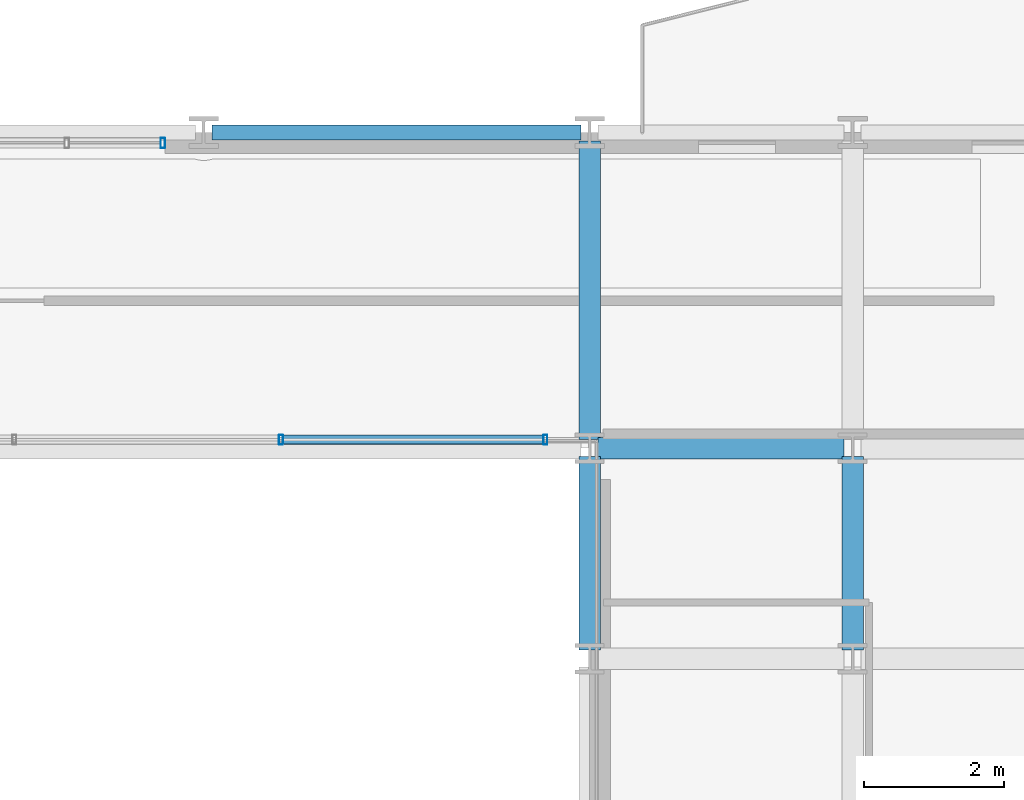
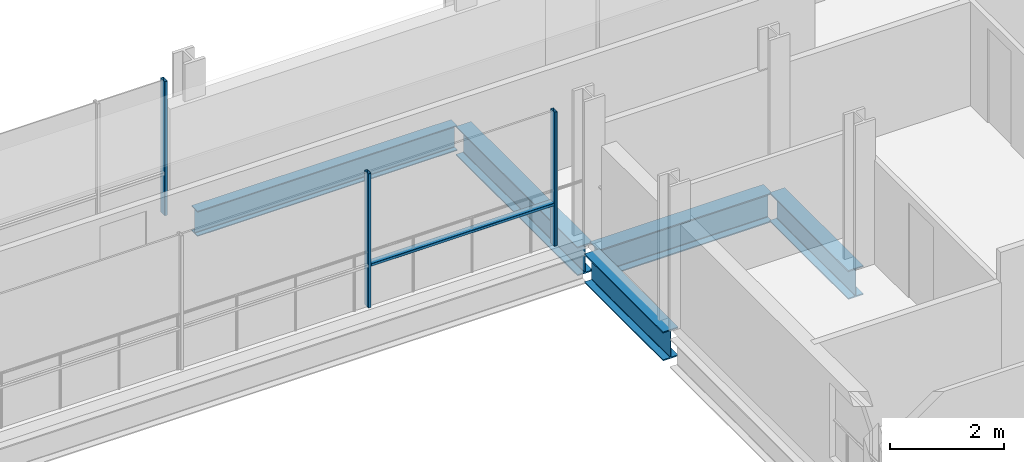
# One storey, part 17 of 39: 5 beams, 4 members, 2 elements without a shape of their own.
"""IFC4 building model written with IfcOpenShell, lengths in metres."""

from ifc_helpers import new_model, si_unit, direction, frame, origin, origin_2d, place, context, subcontext, project, spatial, hollow_rectangle, i_section, extrude, material, layer, layer_set, material_profile, profile_set, type_object, element, aggregate, save


model = new_model("IFC4")

# Units and contexts
model_context = context("Model", 3, precision=1e-05, world=origin(), true_north=direction((0.0, 1.0)))
body_context = subcontext(model_context, "Body", "Model", "MODEL_VIEW")
ifc_project = project(units=[si_unit("LENGTHUNIT", "METRE"), si_unit("AREAUNIT", "SQUARE_METRE"), si_unit("VOLUMEUNIT", "CUBIC_METRE"), si_unit("PLANEANGLEUNIT", "RADIAN"), si_unit("MASSUNIT", "GRAM", prefix="KILO")], contexts=[model_context])

# Site, building, storey
site_placement = place(None, origin())
site = spatial("IfcSite", under=ifc_project, at=site_placement, CompositionType="ELEMENT")
building_placement = place(site_placement, origin())
building = spatial("IfcBuilding", under=site, at=building_placement, Name="Brevholm Reach", CompositionType="ELEMENT")
storey_placement = place(building_placement, frame((0.0, 0.0, 90.0)))
storey = spatial("IfcBuildingStorey", under=building, at=storey_placement, Name="L26", CompositionType="ELEMENT", Elevation=90.0)

# Beams
ifc_material_1 = material(Name="Structural Steel S355J2", Category="steel")
ifc_material_profile_1 = material_profile(ifc_material_1, i_section(OverallWidth=0.210693359375, OverallDepth=0.53955078125, WebThickness=0.01171875, FlangeThickness=0.018798828125, FilletRadius=0.0126953125, at=origin_2d()), Name="UKB 533x210x109")
ifc_profile_set_1 = profile_set([ifc_material_profile_1], Name="Structural Steel S355J2")
beam_type_1 = type_object("IfcBeamType", Name="BM-SP539", PredefinedType="SPANDREL", material=ifc_profile_set_1)
beam_1_placement = place(storey_placement, frame((32.8701171875, 31.0, -0.499755859375), z_axis=(1.0, 0.0, 0.0), x_axis=(0.0, 1.0, 0.0)))
element("IfcBeam", 1, at=beam_1_placement, inside=storey, type_object=beam_type_1, Name="L26 SP-01B Framing Beam", PredefinedType="SPANDREL", context=body_context, shape_type="SweptSolid", body=[
    extrude(i_section(OverallWidth=0.210693359375, OverallDepth=0.53955078125, WebThickness=0.01171875, FlangeThickness=0.018798828125, FilletRadius=0.0126953125, at=origin_2d()), origin(), (0.0, 0.0, 1.0), 5.259765625),
])
ifc_material_2 = material(Name="Structural Steel S355J2", Category="steel")
ifc_material_profile_2 = material_profile(ifc_material_2, i_section(OverallWidth=0.30712890625, OverallDepth=0.6201171875, WebThickness=0.01416015625, FlangeThickness=0.023681640625, FilletRadius=0.0166015625, at=origin_2d()), Name="UKB 610x305x179")
ifc_profile_set_2 = profile_set([ifc_material_profile_2], Name="Structural Steel S355J2")
beam_type_2 = type_object("IfcBeamType", Name="BM-UKB610H", PredefinedType="USERDEFINED", material=ifc_profile_set_2)
beam_2_placement = place(storey_placement, frame((38.3701171875, 26.5, -0.5400390625), z_axis=(1.0, 0.0, 0.0), x_axis=(0.0, 1.0, 0.0)))
element("IfcBeam", 2, at=beam_2_placement, inside=storey, type_object=beam_type_2, Name="L26 G-06 Framing Beam", ObjectType="GIRDER", PredefinedType="USERDEFINED", context=body_context, shape_type="SweptSolid", body=[
    extrude(i_section(OverallWidth=0.30712890625, OverallDepth=0.6201171875, WebThickness=0.01416015625, FlangeThickness=0.023681640625, FilletRadius=0.0166015625, at=origin_2d()), origin(), (0.0, 0.0, 1.0), 3.509765625),
])
beam_3_placement = place(storey_placement, frame((38.25, 23.6201171875, -0.5400390625), z_axis=(0.0, 1.0, 0.0), x_axis=(-1.0, 0.0, 0.0)))
element("IfcBeam", 3, at=beam_3_placement, inside=storey, type_object=beam_type_2, Name="L26 G-06 Framing Beam", ObjectType="GIRDER", PredefinedType="USERDEFINED", context=body_context, shape_type="SweptSolid", body=[
    extrude(i_section(OverallWidth=0.30712890625, OverallDepth=0.6201171875, WebThickness=0.01416015625, FlangeThickness=0.023681640625, FilletRadius=0.0166015625, at=origin_2d()), origin(), (0.0, 0.0, 1.0), 2.759765625),
])
beam_4_placement = place(storey_placement, frame((38.25, 26.6201171875, -0.5400390625), z_axis=(0.0, 1.0, 0.0), x_axis=(-1.0, 0.0, 0.0)))
element("IfcBeam", 4, at=beam_4_placement, inside=storey, type_object=beam_type_2, Name="L26 G-06 Framing Beam", ObjectType="GIRDER", PredefinedType="USERDEFINED", context=body_context, shape_type="SweptSolid", body=[
    extrude(i_section(OverallWidth=0.30712890625, OverallDepth=0.6201171875, WebThickness=0.01416015625, FlangeThickness=0.023681640625, FilletRadius=0.0166015625, at=origin_2d()), origin(), (0.0, 0.0, 1.0), 4.259765625),
])
beam_5_placement = place(storey_placement, frame((42.0, 23.6201171875, -0.5400390625), z_axis=(0.0, 1.0, 0.0), x_axis=(-1.0, 0.0, 0.0)))
element("IfcBeam", 5, at=beam_5_placement, inside=storey, type_object=beam_type_2, Name="L26 G-06 Framing Beam", ObjectType="GIRDER", PredefinedType="USERDEFINED", context=body_context, shape_type="SweptSolid", body=[
    extrude(i_section(OverallWidth=0.30712890625, OverallDepth=0.6201171875, WebThickness=0.01416015625, FlangeThickness=0.023681640625, FilletRadius=0.0166015625, at=origin_2d()), origin(), (0.0, 0.0, 1.0), 2.759765625),
])

# Curtain wall, members
ifc_material_3 = material(Name="Dark Anodised Aluminium 6063-T6 and Solar-Control Glass", Category="aluminium")
ifc_layer_1 = layer(ifc_material_3, 0.139892578125)
ifc_layer_set_1 = layer_set([ifc_layer_1], Name="Dark Anodised Aluminium 6063-T6 and Solar-Control Glass")
curtain_wall_type_1 = type_object("IfcCurtainWallType", Name="CW-02", PredefinedType="NOTDEFINED", material=ifc_layer_set_1)
curtain_wall_1_placement = place(storey_placement, origin())
curtain_wall_1 = element("IfcCurtainWall", 6, at=curtain_wall_1_placement, inside=storey, type_object=curtain_wall_type_1, Name="L26 Curtain Wall CW-02", PredefinedType="NOTDEFINED")
ifc_material_4 = material(Name="Dark Anodised Aluminium 6063-T6", Category="aluminium")
ifc_material_profile_3 = material_profile(ifc_material_4, hollow_rectangle(XDim=0.06005859375, YDim=0.139892578125, WallThickness=0.0048828125, InnerFilletRadius=0.0048828125, OuterFilletRadius=0.010009765625, at=origin_2d()), Name="RHS 140x60x5")
ifc_profile_set_3 = profile_set([ifc_material_profile_3], Name="Dark Anodised Aluminium 6063-T6")
member_type_1 = type_object("IfcMemberType", Name="CWM-140", PredefinedType="MULLION", material=ifc_profile_set_3)
member_1_placement = place(storey_placement, frame((37.6201171875, 26.6201171875, 0.0), z_axis=(0.0, 0.0, 1.0), x_axis=(-1.0, 0.0, 0.0)))
member_1 = element("IfcMember", 7, at=member_1_placement, type_object=member_type_1, Name="CM-140 Mullion 1", PredefinedType="MULLION", context=body_context, shape_type="SweptSolid", body=[
    extrude(hollow_rectangle(XDim=0.06005859375, YDim=0.139892578125, WallThickness=0.0048828125, InnerFilletRadius=0.0048828125, OuterFilletRadius=0.010009765625, at=origin_2d()), origin(), (0.0, 0.0, 1.0), 2.8701171875),
])
member_2_placement = place(storey_placement, frame((33.85009765625, 26.6201171875, 0.0), z_axis=(0.0, 0.0, 1.0), x_axis=(-1.0, 0.0, 0.0)))
member_2 = element("IfcMember", 8, at=member_2_placement, type_object=member_type_1, Name="CM-140 Mullion 2", PredefinedType="MULLION", context=body_context, shape_type="SweptSolid", body=[
    extrude(hollow_rectangle(XDim=0.06005859375, YDim=0.139892578125, WallThickness=0.0048828125, InnerFilletRadius=0.0048828125, OuterFilletRadius=0.010009765625, at=origin_2d()), origin(), (0.0, 0.0, 1.0), 2.8701171875),
])

# Curtain wall, member
ifc_material_5 = material(Name="Dark Anodised Aluminium 6063-T6 and Solar-Control Glass", Category="aluminium")
ifc_layer_2 = layer(ifc_material_5, 0.14990234375)
ifc_layer_set_2 = layer_set([ifc_layer_2], Name="Dark Anodised Aluminium 6063-T6 and Solar-Control Glass")
curtain_wall_type_2 = type_object("IfcCurtainWallType", Name="CW-01", PredefinedType="NOTDEFINED", material=ifc_layer_set_2)
curtain_wall_2_placement = place(storey_placement, origin())
curtain_wall_2 = element("IfcCurtainWall", 9, at=curtain_wall_2_placement, inside=storey, type_object=curtain_wall_type_2, Name="L26 Curtain Wall CW-01", PredefinedType="NOTDEFINED")
ifc_material_6 = material(Name="Dark Anodised Aluminium 6063-T6", Category="aluminium")
ifc_material_profile_4 = material_profile(ifc_material_6, hollow_rectangle(XDim=0.06494140625, YDim=0.14990234375, WallThickness=0.0048828125, InnerFilletRadius=0.0048828125, OuterFilletRadius=0.010009765625, at=origin_2d()), Name="RHS 150x65x5")
ifc_profile_set_4 = profile_set([ifc_material_profile_4], Name="Dark Anodised Aluminium 6063-T6")
member_type_2 = type_object("IfcMemberType", Name="CWM-150", PredefinedType="MULLION", material=ifc_profile_set_4)
member_3_placement = place(storey_placement, frame((32.16748046875, 30.85009765625, 0.0), z_axis=(0.0, 0.0, 1.0), x_axis=(1.0, 0.0, 0.0)))
member_3 = element("IfcMember", 10, at=member_3_placement, type_object=member_type_2, Name="CM-150 Mullion 3", PredefinedType="MULLION", context=body_context, shape_type="SweptSolid", body=[
    extrude(hollow_rectangle(XDim=0.06494140625, YDim=0.14990234375, WallThickness=0.0048828125, InnerFilletRadius=0.0048828125, OuterFilletRadius=0.010009765625, at=origin_2d()), origin(), (0.0, 0.0, 1.0), 2.8701171875),
])
aggregate(curtain_wall_2, [member_3])

# Member
ifc_material_7 = material(Name="Dark Anodised Aluminium 6063-T6", Category="aluminium")
ifc_material_profile_5 = material_profile(ifc_material_7, hollow_rectangle(XDim=0.06005859375, YDim=0.139892578125, WallThickness=0.0048828125, InnerFilletRadius=0.0048828125, OuterFilletRadius=0.010009765625, at=origin_2d()), Name="RHS 140x60x5")
ifc_profile_set_5 = profile_set([ifc_material_profile_5], Name="Dark Anodised Aluminium 6063-T6")
member_type_3 = type_object("IfcMemberType", Name="CWT-140", PredefinedType="NOTDEFINED", material=ifc_profile_set_5)
member_4_placement = place(storey_placement, frame((37.590087890625, 26.6201171875, 0.89990234375), z_axis=(-1.0, 0.0, 0.0), x_axis=(0.0, 0.0, 1.0)))
member_4 = element("IfcMember", 11, at=member_4_placement, type_object=member_type_3, Name="CT-140 Transom 1.1", ObjectType="TRANSOM", PredefinedType="USERDEFINED", context=body_context, shape_type="SweptSolid", body=[
    extrude(hollow_rectangle(XDim=0.06005859375, YDim=0.139892578125, WallThickness=0.0048828125, InnerFilletRadius=0.0048828125, OuterFilletRadius=0.010009765625, at=origin_2d()), origin(), (0.0, 0.0, 1.0), 3.710205078125),
])

aggregate(curtain_wall_1, [member_1, member_2, member_4])

save(model, "model.ifc")
